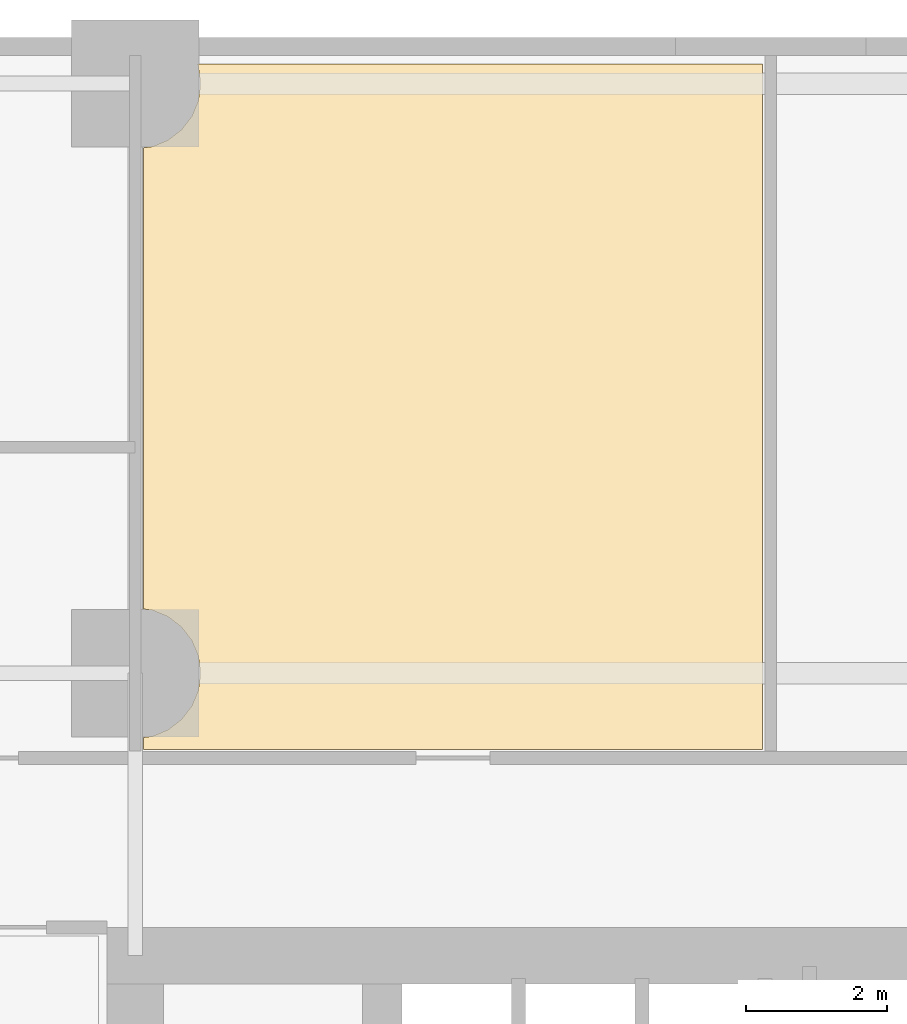
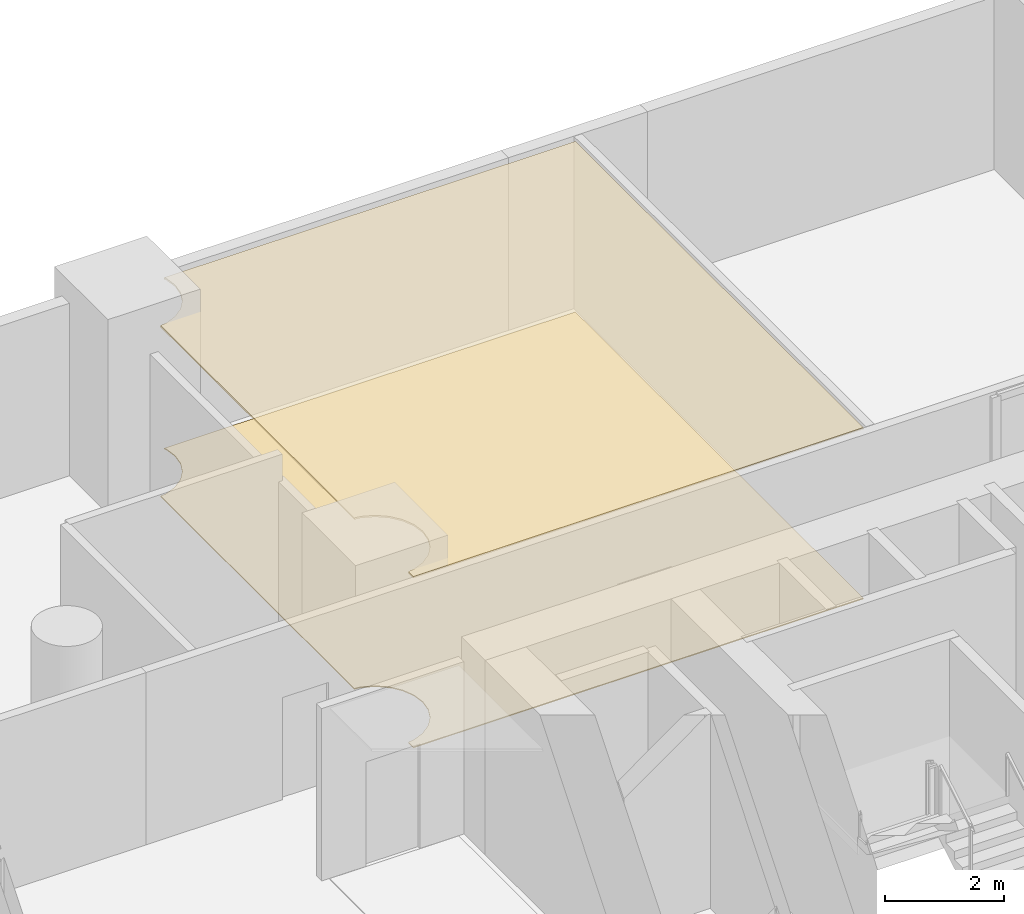
# One storey, part 15 of 15: 2 coverings.
"""IFC4 building model written with IfcOpenShell, lengths in metres."""

from ifc_helpers import new_model, si_unit, direction, frame, origin, place, context, subcontext, project, spatial, polyline, outline, extrude, material, layer, layer_set, type_object, element, save


model = new_model("IFC4")

# Units and contexts
model_context = context("Model", 3, precision=1e-05, world=origin(), true_north=direction((0.0, 1.0)))
body_context = subcontext(model_context, "Body", "Model", "MODEL_VIEW")
ifc_project = project(units=[si_unit("LENGTHUNIT", "METRE"), si_unit("AREAUNIT", "SQUARE_METRE"), si_unit("VOLUMEUNIT", "CUBIC_METRE"), si_unit("PLANEANGLEUNIT", "RADIAN"), si_unit("MASSUNIT", "GRAM", prefix="KILO")], contexts=[model_context])

# Site, building, storey
site_placement = place(None, origin())
site = spatial("IfcSite", under=ifc_project, at=site_placement, CompositionType="ELEMENT")
building_placement = place(site_placement, origin())
building = spatial("IfcBuilding", under=site, at=building_placement, Name="Veldorim Arch Residences", CompositionType="ELEMENT")
storey_placement = place(building_placement, frame((0.0, 0.0, 16.0)))
storey = spatial("IfcBuildingStorey", under=building, at=storey_placement, Name="L04", CompositionType="ELEMENT", Elevation=16.0)

# Coverings
ifc_material_1 = material(Name="Acoustic Gypsum & Mineral Fibre", Category="gypsum")
ifc_layer_1 = layer(ifc_material_1, 0.034912109375, Name="Perforated Acoustic Mineral-Fibre Ceiling 35")
ifc_layer_set_1 = layer_set([ifc_layer_1], Name="Acoustic Gypsum & Mineral Fibre")
covering_type_1 = type_object("IfcCoveringType", Name="Perforated Acoustic Mineral-Fibre Ceiling 35", PredefinedType="CEILING", material=ifc_layer_set_1)
covering_1_placement = place(storey_placement, frame((0.0, 0.0, 3.4951171875)))
element("IfcCovering", 1, at=covering_1_placement, inside=storey, type_object=covering_type_1, Name="L04 acoustic suspended ceiling 06", PredefinedType="CEILING", context=body_context, shape_type="SweptSolid", body=[
    extrude(outline(polyline([(31.8798828125, 43.6298828125), (31.8798828125, 33.919921875), (23.1201171875, 33.919921875), (23.1201171875, 34.0908203125), (23.239501953125, 34.1064453125), (23.46240234375, 34.198974609375), (23.654052734375, 34.345947265625), (23.801025390625, 34.53759765625), (23.8935546875, 34.760498046875), (23.925048828125, 35.0), (23.8935546875, 35.239501953125), (23.801025390625, 35.46240234375), (23.654052734375, 35.654052734375), (23.46240234375, 35.801025390625), (23.239501953125, 35.8935546875), (23.1201171875, 35.9091796875), (23.1201171875, 42.44091796875), (23.239501953125, 42.45654296875), (23.46240234375, 42.548828125), (23.654052734375, 42.69580078125), (23.801025390625, 42.887451171875), (23.8935546875, 43.110595703125), (23.925048828125, 43.35009765625), (23.8935546875, 43.58935546875), (23.876708984375, 43.6298828125), (31.8798828125, 43.6298828125)])), origin(), (0.0, 0.0, 1.0), 0.034912109375),
])
ifc_material_2 = material(Name="Porcelain Ceramic Tile", Category="ceramic")
ifc_layer_2 = layer(ifc_material_2, 0.02001953125, Name="Slip-Resistant Porcelain & Vinyl Floor Finish 20")
ifc_layer_set_2 = layer_set([ifc_layer_2], Name="Porcelain Ceramic Tile")
covering_type_2 = type_object("IfcCoveringType", Name="Slip-Resistant Porcelain & Vinyl Floor Finish 20", PredefinedType="FLOORING", material=ifc_layer_set_2)
covering_2_placement = place(storey_placement, origin())
element("IfcCovering", 2, at=covering_2_placement, inside=storey, type_object=covering_type_2, Name="L04 porcelain floor finish 06", PredefinedType="FLOORING", context=body_context, shape_type="SweptSolid", body=[
    extrude(outline(polyline([(31.8798828125, 43.6298828125), (31.8798828125, 33.919921875), (23.1201171875, 33.919921875), (23.1201171875, 34.0908203125), (23.239501953125, 34.1064453125), (23.46240234375, 34.198974609375), (23.654052734375, 34.345947265625), (23.801025390625, 34.53759765625), (23.8935546875, 34.760498046875), (23.925048828125, 35.0), (23.8935546875, 35.239501953125), (23.801025390625, 35.46240234375), (23.654052734375, 35.654052734375), (23.46240234375, 35.801025390625), (23.239501953125, 35.8935546875), (23.1201171875, 35.9091796875), (23.1201171875, 42.44091796875), (23.239501953125, 42.45654296875), (23.46240234375, 42.548828125), (23.654052734375, 42.69580078125), (23.801025390625, 42.887451171875), (23.8935546875, 43.110595703125), (23.925048828125, 43.35009765625), (23.8935546875, 43.58935546875), (23.876708984375, 43.6298828125), (31.8798828125, 43.6298828125)])), origin(), (0.0, 0.0, 1.0), 0.02001953125),
])

save(model, "model.ifc")
